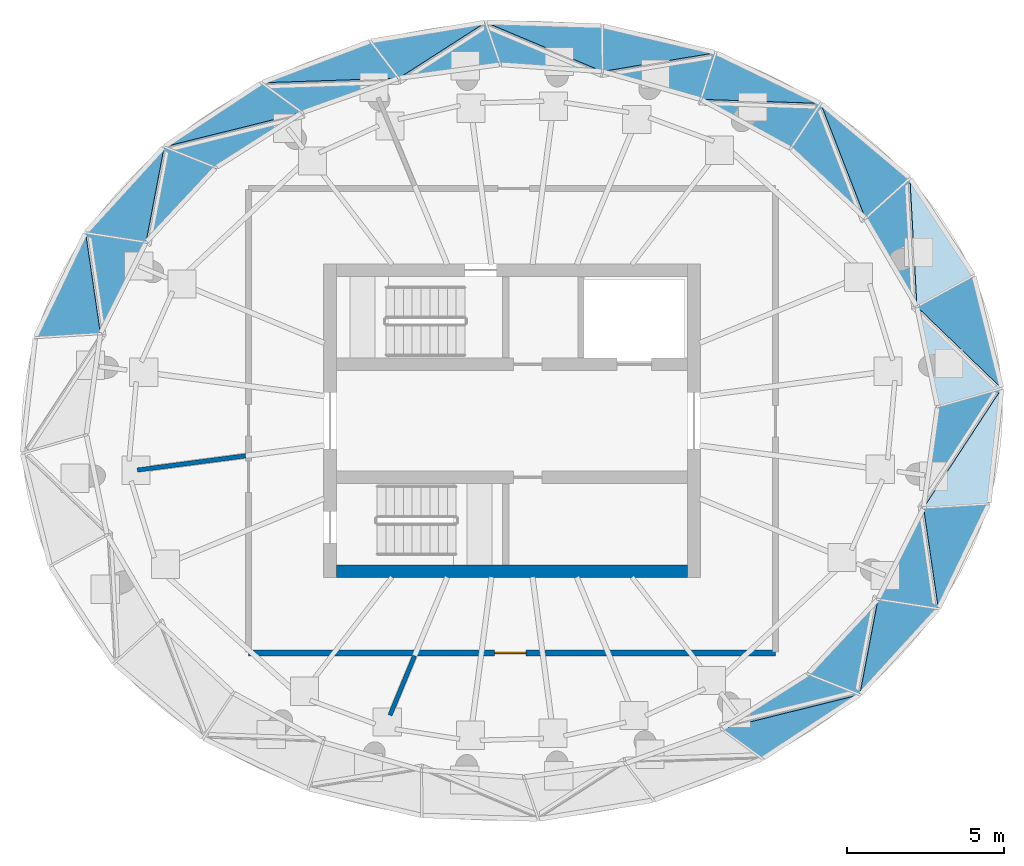
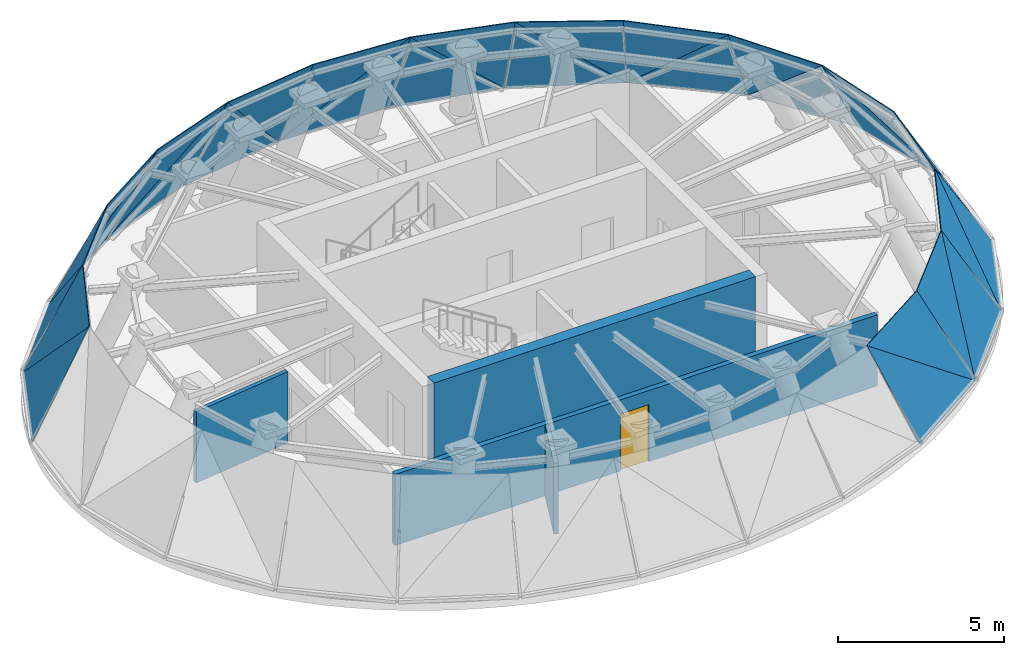
# One storey, part 6 of 8: 30 plates, 4 walls, 1 door, 1 opening, 30 elements without a shape of their own.
"""IFC4 building model written with IfcOpenShell, lengths in metres."""

from ifc_helpers import new_model, si_unit, direction, frame, frame_2d, origin, place, context, subcontext, project, spatial, line, indexed_curve, rectangle, outline, extrude, source, transform, mapped, material, layer, layer_set, type_object, element, fill, aggregate, save


model = new_model("IFC4")

# Units and contexts
model_context = context("Model", 3, precision=1e-05, world=origin(), true_north=direction((0.0, 1.0)))
body_context = subcontext(model_context, "Body", "Model", "MODEL_VIEW")
ifc_project = project(units=[si_unit("LENGTHUNIT", "METRE"), si_unit("AREAUNIT", "SQUARE_METRE"), si_unit("VOLUMEUNIT", "CUBIC_METRE"), si_unit("PLANEANGLEUNIT", "RADIAN"), si_unit("MASSUNIT", "GRAM", prefix="KILO")], contexts=[model_context])

# Site, building, storey
site_placement = place(None, origin())
site = spatial("IfcSite", under=ifc_project, at=site_placement, CompositionType="ELEMENT")
building_placement = place(site_placement, origin())
building = spatial("IfcBuilding", under=site, at=building_placement, Name="Spindrift Exchange Tower", CompositionType="ELEMENT")
storey_placement = place(building_placement, frame((0.0, 0.0, 280.10009765625)))
storey = spatial("IfcBuildingStorey", under=building, at=storey_placement, Name="L69", CompositionType="ELEMENT", Elevation=280.10009765625)

# Curtain wall, plate
ifc_material_1 = material(Name="Fritted laminated glass with bronze frame", Category="glass")
ifc_layer_1 = layer(ifc_material_1, 0.14990234375)
ifc_layer_set_1 = layer_set([ifc_layer_1], Name="CROWN BRONZE RAKED GLAZED WALL")
curtain_wall_type = type_object("IfcCurtainWallType", Name="CROWN BRONZE RAKED GLAZED WALL", PredefinedType="NOTDEFINED", material=ifc_layer_set_1)
curtain_wall_1_placement = place(storey_placement, origin())
curtain_wall_1 = element("IfcCurtainWall", 1, at=curtain_wall_1_placement, inside=storey, type_object=curtain_wall_type, Name="L69 Crown Bronze Raked Glazed Wall facet 5", PredefinedType="NOTDEFINED")
ifc_material_2 = material(Name="Bronze fritted laminated glass, close frit", Category="glass")
ifc_layer_2 = layer(ifc_material_2, 0.030029296875)
ifc_layer_set_2 = layer_set([ifc_layer_2], Name="CROWN BRONZE RAKED GLAZED WALL PANEL CLOSE FRIT 300")
plate_type_1 = type_object("IfcPlateType", Name="CROWN BRONZE RAKED GLAZED WALL PANEL CLOSE FRIT 300", PredefinedType="CURTAIN_PANEL", material=ifc_layer_set_2)
plate_1_placement = place(storey_placement, frame((61.839599609375, 58.115478515625, 0.01416015625), z_axis=(0.565176050454, 0.673090111223, 0.476996576683), x_axis=(0.765827927913, -0.643045554241, 0.0)))
plate_1 = element("IfcPlate", 2, at=plate_1_placement, type_object=plate_type_1, Name="L69 panel CW-R.3a", PredefinedType="CURTAIN_PANEL", context=body_context, shape_type="SweptSolid", body=[
    extrude(outline(indexed_curve([(0.0, 0.0), (3.7119140625, 0.0), (3.4482421875, -3.9658203125)], segments=[line(1, 2, 3, 1)], self_intersect=False)), origin(), (0.0, 0.0, -1.0), 0.030029296875),
])
aggregate(curtain_wall_1, [plate_1])

curtain_wall_2_placement = place(storey_placement, origin())
curtain_wall_2 = element("IfcCurtainWall", 3, at=curtain_wall_2_placement, inside=storey, type_object=curtain_wall_type, Name="L69 Crown Bronze Raked Glazed Wall facet 6", PredefinedType="NOTDEFINED")
plate_2_placement = place(storey_placement, frame((61.839599609375, 58.115478515625, 0.012939453125), z_axis=(0.614353124214, 0.655870744985, 0.438638580885), x_axis=(0.270968098054, -0.697485075158, 0.663393442664)))
plate_2 = element("IfcPlate", 4, at=plate_2_placement, type_object=plate_type_1, Name="L69 panel CW-R.3b", PredefinedType="CURTAIN_PANEL", context=body_context, shape_type="SweptSolid", body=[
    extrude(outline(indexed_curve([(0.0, 0.0), (5.2568359375, 0.0), (3.056640625, -2.4072265625)], segments=[line(1, 2, 3, 1)], self_intersect=False)), origin(), (0.0, 0.0, -1.0), 0.030029296875),
])
aggregate(curtain_wall_2, [plate_2])

curtain_wall_3_placement = place(storey_placement, origin())
curtain_wall_3 = element("IfcCurtainWall", 5, at=curtain_wall_3_placement, inside=storey, type_object=curtain_wall_type, Name="L69 Crown Bronze Raked Glazed Wall facet 19", PredefinedType="NOTDEFINED")
plate_3_placement = place(storey_placement, frame((40.913818359375, 56.731201171875, 0.012451171875), z_axis=(-0.669320461487, 0.611486785409, 0.422011885028), x_axis=(-0.67449076676, -0.738283282727, 0.0)))
plate_3 = element("IfcPlate", 6, at=plate_3_placement, type_object=plate_type_1, Name="L69 panel CW-R.10a", PredefinedType="CURTAIN_PANEL", context=body_context, shape_type="SweptSolid", body=[
    extrude(outline(indexed_curve([(0.0, 0.0), (3.7119140625, 0.0), (2.6357421875, 3.8466796875)], segments=[line(1, 2, 3, 1)], self_intersect=False)), origin(), (0.0, 0.0, -1.0), 0.030029296875),
])
aggregate(curtain_wall_3, [plate_3])

curtain_wall_4_placement = place(storey_placement, origin())
curtain_wall_4 = element("IfcCurtainWall", 7, at=curtain_wall_4_placement, inside=storey, type_object=curtain_wall_type, Name="L69 Crown Bronze Raked Glazed Wall facet 20", PredefinedType="NOTDEFINED")
plate_4_placement = place(storey_placement, frame((40.913818359375, 56.731201171875, 0.0126953125), z_axis=(-0.65999316732, 0.617098685713, 0.428483641674), x_axis=(-0.124192555848, -0.652115633677, 0.747877937491)))
plate_4 = element("IfcPlate", 8, at=plate_4_placement, type_object=plate_type_1, Name="L69 panel CW-R.10b", PredefinedType="CURTAIN_PANEL", context=body_context, shape_type="SweptSolid", body=[
    extrude(outline(indexed_curve([(0.0, 0.0), (4.6630859375, 0.0), (2.8330078125, 2.6982421875)], segments=[line(1, 2, 3, 1)], self_intersect=False)), origin(), (0.0, 0.0, -1.0), 0.030029296875),
])
aggregate(curtain_wall_4, [plate_4])

curtain_wall_5_placement = place(storey_placement, origin())
curtain_wall_5 = element("IfcCurtainWall", 9, at=curtain_wall_5_placement, inside=storey, type_object=curtain_wall_type, Name="L69 Crown Bronze Raked Glazed Wall facet 41", PredefinedType="NOTDEFINED")
plate_5_placement = place(storey_placement, frame((63.086181640625, 39.268798828125, 0.01171875), z_axis=(0.504425174524, -0.767257239145, 0.396070160813), x_axis=(-0.835591721106, -0.549350958513, 0.0)))
plate_5 = element("IfcPlate", 10, at=plate_5_placement, type_object=plate_type_1, Name="L69 panel CW-R.21a", PredefinedType="CURTAIN_PANEL", context=body_context, shape_type="SweptSolid", body=[
    extrude(outline(indexed_curve([(0.0, 0.0), (3.71484375, 0.0), (4.27734375, -3.798828125)], segments=[line(1, 2, 3, 1)], self_intersect=False)), origin(), (0.0, 0.0, -1.0), 0.030029296875),
])
aggregate(curtain_wall_5, [plate_5])

curtain_wall_6_placement = place(storey_placement, origin())
curtain_wall_6 = element("IfcCurtainWall", 11, at=curtain_wall_6_placement, inside=storey, type_object=curtain_wall_type, Name="L69 Crown Bronze Raked Glazed Wall facet 42", PredefinedType="NOTDEFINED")
plate_6_placement = place(storey_placement, frame((63.086181640625, 39.268798828125, 0.01123046875), z_axis=(0.496181237835, -0.779822059743, 0.381682766652), x_axis=(-0.769185785025, -0.190930825688, 0.609834934976)))
plate_6 = element("IfcPlate", 12, at=plate_6_placement, type_object=plate_type_1, Name="L69 panel CW-R.21b", PredefinedType="CURTAIN_PANEL", context=body_context, shape_type="SweptSolid", body=[
    extrude(outline(indexed_curve([(0.0, 0.0), (5.720703125, 0.0), (3.26953125, -2.15234375)], segments=[line(1, 2, 3, 1)], self_intersect=False)), origin(), (0.0, 0.0, -1.0), 0.030029296875),
])
aggregate(curtain_wall_6, [plate_6])

curtain_wall_7_placement = place(storey_placement, origin())
curtain_wall_7 = element("IfcCurtainWall", 13, at=curtain_wall_7_placement, inside=storey, type_object=curtain_wall_type, Name="L69 Crown Bronze Raked Glazed Wall facet 43", PredefinedType="NOTDEFINED")
plate_7_placement = place(storey_placement, frame((63.086181640625, 39.268798828125, 0.012451171875), z_axis=(0.669320461487, -0.611486785409, 0.422011885028), x_axis=(0.67449076676, 0.738283282727, 0.0)))
plate_7 = element("IfcPlate", 14, at=plate_7_placement, type_object=plate_type_1, Name="L69 panel CW-R.22a", PredefinedType="CURTAIN_PANEL", context=body_context, shape_type="SweptSolid", body=[
    extrude(outline(indexed_curve([(0.0, 0.0), (3.7119140625, 0.0), (2.6357421875, 3.8466796875)], segments=[line(1, 2, 3, 1)], self_intersect=False)), origin(), (0.0, 0.0, -1.0), 0.030029296875),
])
aggregate(curtain_wall_7, [plate_7])

curtain_wall_8_placement = place(storey_placement, origin())
curtain_wall_8 = element("IfcCurtainWall", 15, at=curtain_wall_8_placement, inside=storey, type_object=curtain_wall_type, Name="L69 Crown Bronze Raked Glazed Wall facet 44", PredefinedType="NOTDEFINED")
plate_8_placement = place(storey_placement, frame((63.086181640625, 39.268798828125, 0.0126953125), z_axis=(0.65999316732, -0.617098685713, 0.428483641674), x_axis=(0.124192555848, 0.652115633677, 0.747877937491)))
plate_8 = element("IfcPlate", 16, at=plate_8_placement, type_object=plate_type_1, Name="L69 panel CW-R.22b", PredefinedType="CURTAIN_PANEL", context=body_context, shape_type="SweptSolid", body=[
    extrude(outline(indexed_curve([(0.0, 0.0), (4.6630859375, 0.0), (2.8330078125, 2.6982421875)], segments=[line(1, 2, 3, 1)], self_intersect=False)), origin(), (0.0, 0.0, -1.0), 0.030029296875),
])
aggregate(curtain_wall_8, [plate_8])

curtain_wall_9_placement = place(storey_placement, origin())
curtain_wall_9 = element("IfcCurtainWall", 17, at=curtain_wall_9_placement, inside=storey, type_object=curtain_wall_type, Name="L69 Crown Bronze Raked Glazed Wall facet 1", PredefinedType="NOTDEFINED")
ifc_layer_3 = layer(ifc_material_2, 0.030029296875)
ifc_layer_set_3 = layer_set([ifc_layer_3], Name="CROWN BRONZE RAKED GLAZED WALL PANEL CLOSE FRIT 420")
plate_type_2 = type_object("IfcPlateType", Name="CROWN BRONZE RAKED GLAZED WALL PANEL CLOSE FRIT 420", PredefinedType="CURTAIN_PANEL", material=ifc_layer_set_3)
plate_9_placement = place(storey_placement, frame((67.609619140625, 49.032470703125, 0.014892578125), z_axis=(0.842288613629, 0.209671111115, 0.496576194068), x_axis=(-0.241558489936, 0.970386261207, 0.0)))
plate_9 = element("IfcPlate", 18, at=plate_9_placement, type_object=plate_type_2, Name="L69 panel CW-R.1a", PredefinedType="CURTAIN_PANEL", context=body_context, shape_type="SweptSolid", body=[
    extrude(outline(indexed_curve([(0.0, 0.0), (3.7041015625, 0.0), (3.1796875, 4.0146484375)], segments=[line(1, 2, 3, 1)], self_intersect=False)), origin(), (0.0, 0.0, -1.0), 0.030029296875),
])
aggregate(curtain_wall_9, [plate_9])

curtain_wall_10_placement = place(storey_placement, origin())
curtain_wall_10 = element("IfcCurtainWall", 19, at=curtain_wall_10_placement, inside=storey, type_object=curtain_wall_type, Name="L69 Crown Bronze Raked Glazed Wall facet 2", PredefinedType="NOTDEFINED")
plate_10_placement = place(storey_placement, frame((67.609619140625, 49.032470703125, 0.015380859375), z_axis=(0.836592289288, 0.172610831534, 0.519921957932), x_axis=(-0.527759754911, 0.508453215236, 0.680400594512)))
plate_10 = element("IfcPlate", 20, at=plate_10_placement, type_object=plate_type_2, Name="L69 panel CW-R.1b", PredefinedType="CURTAIN_PANEL", context=body_context, shape_type="SweptSolid", body=[
    extrude(outline(indexed_curve([(0.0, 0.0), (5.12109375, 0.0), (3.1533203125, 2.5927734375)], segments=[line(1, 2, 3, 1)], self_intersect=False)), origin(), (0.0, 0.0, -1.0), 0.030029296875),
])
aggregate(curtain_wall_10, [plate_10])

curtain_wall_11_placement = place(storey_placement, origin())
curtain_wall_11 = element("IfcCurtainWall", 21, at=curtain_wall_11_placement, inside=storey, type_object=curtain_wall_type, Name="L69 Crown Bronze Raked Glazed Wall facet 7", PredefinedType="NOTDEFINED")
plate_11_placement = place(storey_placement, frame((61.839599609375, 58.115478515625, 0.011962890625), z_axis=(0.397307338456, 0.823702069412, 0.404551331299), x_axis=(-0.900697972034, 0.434445811551, 0.0)))
plate_11 = element("IfcPlate", 22, at=plate_11_placement, type_object=plate_type_2, Name="L69 panel CW-R.4a", PredefinedType="CURTAIN_PANEL", context=body_context, shape_type="SweptSolid", body=[
    extrude(outline(indexed_curve([(0.0, 0.0), (3.71484375, 0.0), (3.494140625, 3.814453125)], segments=[line(1, 2, 3, 1)], self_intersect=False)), origin(), (0.0, 0.0, -1.0), 0.030029296875),
])
aggregate(curtain_wall_11, [plate_11])

curtain_wall_12_placement = place(storey_placement, origin())
curtain_wall_12 = element("IfcCurtainWall", 23, at=curtain_wall_12_placement, inside=storey, type_object=curtain_wall_type, Name="L69 Crown Bronze Raked Glazed Wall facet 8", PredefinedType="NOTDEFINED")
plate_12_placement = place(storey_placement, frame((61.839599609375, 58.115478515625, 0.01318359375), z_axis=(0.430382330959, 0.786875538827, 0.442264553852), x_axis=(-0.738167891383, 0.024829026146, 0.674159983677)))
plate_12 = element("IfcPlate", 24, at=plate_12_placement, type_object=plate_type_2, Name="L69 panel CW-R.4b", PredefinedType="CURTAIN_PANEL", context=body_context, shape_type="SweptSolid", body=[
    extrude(outline(indexed_curve([(0.0, 0.0), (5.171875, 0.0), (3.0205078125, 2.4521484375)], segments=[line(1, 2, 3, 1)], self_intersect=False)), origin(), (0.0, 0.0, -1.0), 0.030029296875),
])
aggregate(curtain_wall_12, [plate_12])

curtain_wall_13_placement = place(storey_placement, origin())
curtain_wall_13 = element("IfcCurtainWall", 25, at=curtain_wall_13_placement, inside=storey, type_object=curtain_wall_type, Name="L69 Crown Bronze Raked Glazed Wall facet 9", PredefinedType="NOTDEFINED")
plate_13_placement = place(storey_placement, frame((58.493408203125, 59.7294921875, 0.010986328125), z_axis=(0.212764825705, 0.90259066341, 0.374247542768), x_axis=(-0.973323189011, 0.229438378946, 0.0)))
plate_13 = element("IfcPlate", 26, at=plate_13_placement, type_object=plate_type_2, Name="L69 panel CW-R.5a", PredefinedType="CURTAIN_PANEL", context=body_context, shape_type="SweptSolid", body=[
    extrude(outline(indexed_curve([(0.0, 0.0), (3.716796875, 0.0), (3.37890625, 3.7626953125)], segments=[line(1, 2, 3, 1)], self_intersect=False)), origin(), (0.0, 0.0, -1.0), 0.030029296875),
])
aggregate(curtain_wall_13, [plate_13])

curtain_wall_14_placement = place(storey_placement, origin())
curtain_wall_14 = element("IfcCurtainWall", 27, at=curtain_wall_14_placement, inside=storey, type_object=curtain_wall_type, Name="L69 Crown Bronze Raked Glazed Wall facet 10", PredefinedType="NOTDEFINED")
plate_14_placement = place(storey_placement, frame((58.493408203125, 59.7294921875, 0.01220703125), z_axis=(0.249057583816, 0.878428215142, 0.407840889057), x_axis=(-0.714371225151, -0.117717948423, 0.689794344204)))
plate_14 = element("IfcPlate", 28, at=plate_14_placement, type_object=plate_type_2, Name="L69 panel CW-R.5b", PredefinedType="CURTAIN_PANEL", context=body_context, shape_type="SweptSolid", body=[
    extrude(outline(indexed_curve([(0.0, 0.0), (5.056640625, 0.0), (2.91796875, 2.4658203125)], segments=[line(1, 2, 3, 1)], self_intersect=False)), origin(), (0.0, 0.0, -1.0), 0.030029296875),
])
aggregate(curtain_wall_14, [plate_14])

curtain_wall_15_placement = place(storey_placement, origin())
curtain_wall_15 = element("IfcCurtainWall", 29, at=curtain_wall_15_placement, inside=storey, type_object=curtain_wall_type, Name="L69 Crown Bronze Raked Glazed Wall facet 11", PredefinedType="NOTDEFINED")
plate_15_placement = place(storey_placement, frame((51.16015625, 60.6982421875, 0.011474609375), z_axis=(0.028814951632, 0.923231050284, 0.383163315512), x_axis=(0.999513292725, -0.031195795653, 0.0)))
plate_15 = element("IfcPlate", 30, at=plate_15_placement, type_object=plate_type_2, Name="L69 panel CW-R.6a", PredefinedType="CURTAIN_PANEL", context=body_context, shape_type="SweptSolid", body=[
    extrude(outline(indexed_curve([(0.0, 0.0), (3.7177734375, 0.0), (3.7685546875, -3.7763671875)], segments=[line(1, 2, 3, 1)], self_intersect=False)), origin(), (0.0, 0.0, -1.0), 0.030029296875),
])
aggregate(curtain_wall_15, [plate_15])

curtain_wall_16_placement = place(storey_placement, origin())
curtain_wall_16 = element("IfcCurtainWall", 31, at=curtain_wall_16_placement, inside=storey, type_object=curtain_wall_type, Name="L69 Crown Bronze Raked Glazed Wall facet 12", PredefinedType="NOTDEFINED")
plate_16_placement = place(storey_placement, frame((51.16015625, 60.6982421875, 0.010498046875), z_axis=(0.06379986533, 0.934307358249, 0.350712613838), x_axis=(0.697411695467, -0.293112407897, 0.653989329701)))
plate_16 = element("IfcPlate", 32, at=plate_16_placement, type_object=plate_type_2, Name="L69 panel CW-R.6b", PredefinedType="CURTAIN_PANEL", context=body_context, shape_type="SweptSolid", body=[
    extrude(outline(indexed_curve([(0.0, 0.0), (5.3359375, 0.0), (2.9990234375, -2.2802734375)], segments=[line(1, 2, 3, 1)], self_intersect=False)), origin(), (0.0, 0.0, -1.0), 0.030029296875),
])
aggregate(curtain_wall_16, [plate_16])

curtain_wall_17_placement = place(storey_placement, origin())
curtain_wall_17 = element("IfcCurtainWall", 33, at=curtain_wall_17_placement, inside=storey, type_object=curtain_wall_type, Name="L69 Crown Bronze Raked Glazed Wall facet 17", PredefinedType="NOTDEFINED")
plate_17_placement = place(storey_placement, frame((40.913818359375, 56.731201171875, 0.01171875), z_axis=(-0.504425174524, 0.767257239145, 0.396070160813), x_axis=(0.835591721106, 0.549350958513, 0.0)))
plate_17 = element("IfcPlate", 34, at=plate_17_placement, type_object=plate_type_2, Name="L69 panel CW-R.9a", PredefinedType="CURTAIN_PANEL", context=body_context, shape_type="SweptSolid", body=[
    extrude(outline(indexed_curve([(0.0, 0.0), (3.71484375, 0.0), (4.27734375, -3.798828125)], segments=[line(1, 2, 3, 1)], self_intersect=False)), origin(), (0.0, 0.0, -1.0), 0.030029296875),
])
aggregate(curtain_wall_17, [plate_17])

curtain_wall_18_placement = place(storey_placement, origin())
curtain_wall_18 = element("IfcCurtainWall", 35, at=curtain_wall_18_placement, inside=storey, type_object=curtain_wall_type, Name="L69 Crown Bronze Raked Glazed Wall facet 18", PredefinedType="NOTDEFINED")
plate_18_placement = place(storey_placement, frame((40.913818359375, 56.731201171875, 0.01123046875), z_axis=(-0.496181237835, 0.779822059743, 0.381682766652), x_axis=(0.769185785025, 0.190930825688, 0.609834934976)))
plate_18 = element("IfcPlate", 36, at=plate_18_placement, type_object=plate_type_2, Name="L69 panel CW-R.9b", PredefinedType="CURTAIN_PANEL", context=body_context, shape_type="SweptSolid", body=[
    extrude(outline(indexed_curve([(0.0, 0.0), (5.720703125, 0.0), (3.26953125, -2.15234375)], segments=[line(1, 2, 3, 1)], self_intersect=False)), origin(), (0.0, 0.0, -1.0), 0.030029296875),
])
aggregate(curtain_wall_18, [plate_18])

curtain_wall_19_placement = place(storey_placement, origin())
curtain_wall_19 = element("IfcCurtainWall", 37, at=curtain_wall_19_placement, inside=storey, type_object=curtain_wall_type, Name="L69 Crown Bronze Raked Glazed Wall facet 45", PredefinedType="NOTDEFINED")
plate_19_placement = place(storey_placement, frame((65.590087890625, 42.009521484375, 0.013671875), z_axis=(0.79927352321, -0.384076355882, 0.462219848068), x_axis=(0.433120610216, 0.901335973434, 0.0)))
plate_19 = element("IfcPlate", 38, at=plate_19_placement, type_object=plate_type_2, Name="L69 panel CW-R.23a", PredefinedType="CURTAIN_PANEL", context=body_context, shape_type="SweptSolid", body=[
    extrude(outline(indexed_curve([(0.0, 0.0), (3.7080078125, 0.0), (2.693359375, 3.931640625)], segments=[line(1, 2, 3, 1)], self_intersect=False)), origin(), (0.0, 0.0, -1.0), 0.030029296875),
])
aggregate(curtain_wall_19, [plate_19])

curtain_wall_20_placement = place(storey_placement, origin())
curtain_wall_20 = element("IfcCurtainWall", 39, at=curtain_wall_20_placement, inside=storey, type_object=curtain_wall_type, Name="L69 Crown Bronze Raked Glazed Wall facet 46", PredefinedType="NOTDEFINED")
plate_20_placement = place(storey_placement, frame((65.590087890625, 42.009521484375, 0.013916015625), z_axis=(0.789889059271, -0.393886051834, 0.470030905595), x_axis=(-0.098872055338, 0.674635283285, 0.731499522365)))
plate_20 = element("IfcPlate", 40, at=plate_20_placement, type_object=plate_type_2, Name="L69 panel CW-R.23b", PredefinedType="CURTAIN_PANEL", context=body_context, shape_type="SweptSolid", body=[
    extrude(outline(indexed_curve([(0.0, 0.0), (4.765625, 0.0), (2.9423828125, 2.69921875)], segments=[line(1, 2, 3, 1)], self_intersect=False)), origin(), (0.0, 0.0, -1.0), 0.030029296875),
])
aggregate(curtain_wall_20, [plate_20])

curtain_wall_21_placement = place(storey_placement, origin())
curtain_wall_21 = element("IfcCurtainWall", 41, at=curtain_wall_21_placement, inside=storey, type_object=curtain_wall_type, Name="L69 Crown Bronze Raked Glazed Wall facet 47", PredefinedType="NOTDEFINED")
plate_21_placement = place(storey_placement, frame((67.609619140625, 49.032470703125, 0.01513671875), z_axis=(0.856537581413, -0.096237624389, 0.507032238895), x_axis=(-0.1116540198, -0.993747140807, 0.0)))
plate_21 = element("IfcPlate", 42, at=plate_21_placement, type_object=plate_type_2, Name="L69 panel CW-R.24a", PredefinedType="CURTAIN_PANEL", context=body_context, shape_type="SweptSolid", body=[
    extrude(outline(indexed_curve([(0.0, 0.0), (3.7041015625, 0.0), (4.0625, -4.04296875)], segments=[line(1, 2, 3, 1)], self_intersect=False)), origin(), (0.0, 0.0, -1.0), 0.030029296875),
])
aggregate(curtain_wall_21, [plate_21])

curtain_wall_22_placement = place(storey_placement, origin())
curtain_wall_22 = element("IfcCurtainWall", 43, at=curtain_wall_22_placement, inside=storey, type_object=curtain_wall_type, Name="L69 Crown Bronze Raked Glazed Wall facet 48", PredefinedType="NOTDEFINED")
plate_22_placement = place(storey_placement, frame((67.609619140625, 49.032470703125, 0.014404296875), z_axis=(0.864918771348, -0.119527241989, 0.487471801638), x_axis=(-0.434548861884, -0.664346069281, 0.608121358667)))
plate_22 = element("IfcPlate", 44, at=plate_22_placement, type_object=plate_type_2, Name="L69 panel CW-R.24b", PredefinedType="CURTAIN_PANEL", context=body_context, shape_type="SweptSolid", body=[
    extrude(outline(indexed_curve([(0.0, 0.0), (5.7314453125, 0.0), (3.396484375, -2.2666015625)], segments=[line(1, 2, 3, 1)], self_intersect=False)), origin(), (0.0, 0.0, -1.0), 0.030029296875),
])
aggregate(curtain_wall_22, [plate_22])

curtain_wall_23_placement = place(storey_placement, origin())
curtain_wall_23 = element("IfcCurtainWall", 45, at=curtain_wall_23_placement, inside=storey, type_object=curtain_wall_type, Name="L69 Crown Bronze Raked Glazed Wall facet 3", PredefinedType="NOTDEFINED")
ifc_layer_4 = layer(ifc_material_2, 0.030029296875)
ifc_layer_set_4 = layer_set([ifc_layer_4], Name="CROWN BRONZE RAKED GLAZED WALL PANEL CLOSE FRIT 540")
plate_type_3 = type_object("IfcPlateType", Name="CROWN BRONZE RAKED GLAZED WALL PANEL CLOSE FRIT 540", PredefinedType="CURTAIN_PANEL", material=ifc_layer_set_4)
plate_23_placement = place(storey_placement, frame((64.6826171875, 55.728271484375, 0.01513671875), z_axis=(0.720461384078, 0.472102697085, 0.507990587961), x_axis=(0.548088210831, -0.836420536063, 0.0)))
plate_23 = element("IfcPlate", 46, at=plate_23_placement, type_object=plate_type_3, Name="L69 panel CW-R.2a", PredefinedType="CURTAIN_PANEL", context=body_context, shape_type="SweptSolid", body=[
    extrude(outline(indexed_curve([(0.0, 0.0), (3.7080078125, 0.0), (3.544921875, -4.0458984375)], segments=[line(1, 2, 3, 1)], self_intersect=False)), origin(), (0.0, 0.0, -1.0), 0.030029296875),
])
aggregate(curtain_wall_23, [plate_23])

curtain_wall_24_placement = place(storey_placement, origin())
curtain_wall_24 = element("IfcCurtainWall", 47, at=curtain_wall_24_placement, inside=storey, type_object=curtain_wall_type, Name="L69 Crown Bronze Raked Glazed Wall facet 4", PredefinedType="NOTDEFINED")
plate_24_placement = place(storey_placement, frame((64.6826171875, 55.728271484375, 0.013916015625), z_axis=(0.760926311868, 0.444429576648, 0.472729837547), x_axis=(0.041657178729, -0.76053847004, 0.647955179815)))
plate_24 = element("IfcPlate", 48, at=plate_24_placement, type_object=plate_type_3, Name="L69 panel CW-R.2b", PredefinedType="CURTAIN_PANEL", context=body_context, shape_type="SweptSolid", body=[
    extrude(outline(indexed_curve([(0.0, 0.0), (5.3798828125, 0.0), (3.1728515625, -2.3955078125)], segments=[line(1, 2, 3, 1)], self_intersect=False)), origin(), (0.0, 0.0, -1.0), 0.030029296875),
])
aggregate(curtain_wall_24, [plate_24])

curtain_wall_25_placement = place(storey_placement, origin())
curtain_wall_25 = element("IfcCurtainWall", 49, at=curtain_wall_25_placement, inside=storey, type_object=curtain_wall_type, Name="L69 Crown Bronze Raked Glazed Wall facet 13", PredefinedType="NOTDEFINED")
plate_25_placement = place(storey_placement, frame((51.16015625, 60.6982421875, 0.010498046875), z_axis=(-0.152314233821, 0.924220132844, 0.350167845785), x_axis=(-0.986690497935, -0.162609536268, 0.0)))
plate_25 = element("IfcPlate", 50, at=plate_25_placement, type_object=plate_type_3, Name="L69 panel CW-R.7a", PredefinedType="CURTAIN_PANEL", context=body_context, shape_type="SweptSolid", body=[
    extrude(outline(indexed_curve([(0.0, 0.0), (3.7177734375, 0.0), (3.0234375, 3.7255859375)], segments=[line(1, 2, 3, 1)], self_intersect=False)), origin(), (0.0, 0.0, -1.0), 0.030029296875),
])
aggregate(curtain_wall_25, [plate_25])

curtain_wall_26_placement = place(storey_placement, origin())
curtain_wall_26 = element("IfcCurtainWall", 51, at=curtain_wall_26_placement, inside=storey, type_object=curtain_wall_type, Name="L69 Crown Bronze Raked Glazed Wall facet 14", PredefinedType="NOTDEFINED")
plate_26_placement = place(storey_placement, frame((51.16015625, 60.6982421875, 0.010986328125), z_axis=(-0.124401420094, 0.920473265822, 0.370477062158), x_axis=(-0.577628233344, -0.370769034283, 0.727238576576)))
plate_26 = element("IfcPlate", 52, at=plate_26_placement, type_object=plate_type_3, Name="L69 panel CW-R.7b", PredefinedType="CURTAIN_PANEL", context=body_context, shape_type="SweptSolid", body=[
    extrude(outline(indexed_curve([(0.0, 0.0), (4.7978515625, 0.0), (2.7666015625, 2.556640625)], segments=[line(1, 2, 3, 1)], self_intersect=False)), origin(), (0.0, 0.0, -1.0), 0.030029296875),
])
aggregate(curtain_wall_26, [plate_26])

curtain_wall_27_placement = place(storey_placement, origin())
curtain_wall_27 = element("IfcCurtainWall", 53, at=curtain_wall_27_placement, inside=storey, type_object=curtain_wall_type, Name="L69 Crown Bronze Raked Glazed Wall facet 15", PredefinedType="NOTDEFINED")
plate_27_placement = place(storey_placement, frame((44.018310546875, 58.772216796875, 0.01123046875), z_axis=(-0.329444742314, 0.866002076185, 0.376173584672), x_axis=(0.934653085919, 0.355560977868, 0.0)))
plate_27 = element("IfcPlate", 54, at=plate_27_placement, type_object=plate_type_3, Name="L69 panel CW-R.8a", PredefinedType="CURTAIN_PANEL", context=body_context, shape_type="SweptSolid", body=[
    extrude(outline(indexed_curve([(0.0, 0.0), (3.716796875, 0.0), (4.1376953125, -3.765625)], segments=[line(1, 2, 3, 1)], self_intersect=False)), origin(), (0.0, 0.0, -1.0), 0.030029296875),
])
aggregate(curtain_wall_27, [plate_27])

curtain_wall_28_placement = place(storey_placement, origin())
curtain_wall_28 = element("IfcCurtainWall", 55, at=curtain_wall_28_placement, inside=storey, type_object=curtain_wall_type, Name="L69 Crown Bronze Raked Glazed Wall facet 16", PredefinedType="NOTDEFINED")
plate_28_placement = place(storey_placement, frame((44.018310546875, 58.772216796875, 0.010498046875), z_axis=(-0.313770480598, 0.880290807006, 0.355859776607), x_axis=(0.781206853653, 0.026313693037, 0.623717437117)))
plate_28 = element("IfcPlate", 56, at=plate_28_placement, type_object=plate_type_3, Name="L69 panel CW-R.8b", PredefinedType="CURTAIN_PANEL", context=body_context, shape_type="SweptSolid", body=[
    extrude(outline(indexed_curve([(0.0, 0.0), (5.5947265625, 0.0), (3.1640625, -2.1787109375)], segments=[line(1, 2, 3, 1)], self_intersect=False)), origin(), (0.0, 0.0, -1.0), 0.030029296875),
])
aggregate(curtain_wall_28, [plate_28])

curtain_wall_29_placement = place(storey_placement, origin())
curtain_wall_29 = element("IfcCurtainWall", 57, at=curtain_wall_29_placement, inside=storey, type_object=curtain_wall_type, Name="L69 Crown Bronze Raked Glazed Wall facet 21", PredefinedType="NOTDEFINED")
plate_29_placement = place(storey_placement, frame((38.409912109375, 53.990478515625, 0.013671875), z_axis=(-0.79927352321, 0.384076355882, 0.462219848068), x_axis=(-0.433120610216, -0.901335973434, 0.0)))
plate_29 = element("IfcPlate", 58, at=plate_29_placement, type_object=plate_type_3, Name="L69 panel CW-R.11a", PredefinedType="CURTAIN_PANEL", context=body_context, shape_type="SweptSolid", body=[
    extrude(outline(indexed_curve([(0.0, 0.0), (3.7080078125, 0.0), (2.693359375, 3.931640625)], segments=[line(1, 2, 3, 1)], self_intersect=False)), origin(), (0.0, 0.0, -1.0), 0.030029296875),
])
aggregate(curtain_wall_29, [plate_29])

curtain_wall_30_placement = place(storey_placement, origin())
curtain_wall_30 = element("IfcCurtainWall", 59, at=curtain_wall_30_placement, inside=storey, type_object=curtain_wall_type, Name="L69 Crown Bronze Raked Glazed Wall facet 22", PredefinedType="NOTDEFINED")
plate_30_placement = place(storey_placement, frame((38.409912109375, 53.990478515625, 0.013916015625), z_axis=(-0.789889059271, 0.393886051834, 0.470030905595), x_axis=(0.098872055338, -0.674635283285, 0.731499522365)))
plate_30 = element("IfcPlate", 60, at=plate_30_placement, type_object=plate_type_3, Name="L69 panel CW-R.11b", PredefinedType="CURTAIN_PANEL", context=body_context, shape_type="SweptSolid", body=[
    extrude(outline(indexed_curve([(0.0, 0.0), (4.765625, 0.0), (2.9423828125, 2.69921875)], segments=[line(1, 2, 3, 1)], self_intersect=False)), origin(), (0.0, 0.0, -1.0), 0.030029296875),
])
aggregate(curtain_wall_30, [plate_30])

# Walls
ifc_material_3 = material(Name="Concrete 40 MPa", Category="concrete")
ifc_layer_5 = layer(ifc_material_3, 0.39990234375)
ifc_layer_set_5 = layer_set([ifc_layer_5], Name="RC Core Wall 400 Concrete 40 MPa")
wall_type_1 = type_object("IfcWallType", Name="RC Core Wall 400 Concrete 40 MPa", PredefinedType="SHEAR", material=ifc_layer_set_5)
wall_1_placement = place(storey_placement, frame((46.39990234375, 43.199951171875, 0.0), z_axis=(0.0, 0.0, 1.0), x_axis=(1.0, 0.0, 0.0)))
element("IfcWall", 61, at=wall_1_placement, inside=storey, type_object=wall_type_1, Name="Core wall S L69", PredefinedType="SHEAR", context=body_context, shape_type="SweptSolid", body=[
    extrude(rectangle(XDim=11.2001953125, YDim=0.39990234375, at=frame_2d((5.60009765625, 0.0))), origin(), (0.0, 0.0, 1.0), 3.5),
])
ifc_material_4 = material(Name="Fire-rated plasterboard partition", Category="gypsum")
ifc_layer_6 = layer(ifc_material_4, 0.139892578125)
ifc_layer_set_6 = layer_set([ifc_layer_6], Name="W-PLANT-140")
wall_type_2 = type_object("IfcWallType", Name="W-PLANT-140", PredefinedType="PARTITIONING", material=ifc_layer_set_6)
wall_2_placement = place(storey_placement, frame((43.510009765625, 46.88232421875, 0.0), z_axis=(0.0, 0.0, 1.0), x_axis=(-0.991442831521, -0.130541609556, 0.0)))
element("IfcWall", 62, at=wall_2_placement, inside=storey, type_object=wall_type_2, Name="L69 Partition wall 8", PredefinedType="PARTITIONING", context=body_context, shape_type="SweptSolid", body=[
    extrude(rectangle(XDim=3.48046875, YDim=0.139892578125, at=frame_2d((1.740234375, 0.0))), origin(), (0.0, 0.0, 1.0), 2.619873046875),
])
wall_3_placement = place(storey_placement, frame((48.8974609375, 40.510009765625, 0.0), z_axis=(0.0, 0.0, 1.0), x_axis=(-0.382691072611, -0.923876367781, 0.0)))
element("IfcWall", 63, at=wall_3_placement, inside=storey, type_object=wall_type_2, Name="L69 Partition wall 9", PredefinedType="PARTITIONING", context=body_context, shape_type="SweptSolid", body=[
    extrude(rectangle(XDim=2.054931640625, YDim=0.139892578125, at=frame_2d((1.02734375, 0.0))), origin(), (0.0, 0.0, 1.0), 2.619873046875),
])

# Wall, opening, door
ifc_layer_7 = layer(ifc_material_4, 0.179931640625)
ifc_layer_set_7 = layer_set([ifc_layer_7], Name="W-PLANT-180")
wall_type_3 = type_object("IfcWallType", Name="W-PLANT-180", PredefinedType="PARTITIONING", material=ifc_layer_set_7)
wall_4_placement = place(storey_placement, frame((60.39990234375, 40.60009765625, 0.0), z_axis=(0.0, 0.0, 1.0), x_axis=(-1.0, 0.0, 0.0)))
wall_4 = element("IfcWall", 64, at=wall_4_placement, inside=storey, type_object=wall_type_3, Name="L69 Partition wall 5", PredefinedType="PARTITIONING", context=body_context, shape_type="SweptSolid", body=[
    extrude(rectangle(XDim=16.7998046875, YDim=0.179931640625, at=frame_2d((8.39990234375, 0.0))), origin(), (0.0, 0.0, 1.0), 2.619873046875),
])
opening_placement = place(wall_4_placement, frame((7.949951171875, 0.0, 0.0)))
opening = element("IfcOpeningElement", 65, at=opening_placement, cuts=wall_4, Name="Opening L69-D6", PredefinedType="OPENING", context=body_context, shape_type="SweptSolid", body=[
    extrude(rectangle(XDim=1.0, YDim=2.10009765625, at=frame_2d((0.5, 1.050048828125))), frame((0.0, 0.099853515625, 0.0), z_axis=(0.0, -1.0, 0.0), x_axis=(1.0, 0.0, 0.0)), (0.0, 0.0, 1.0), 0.199951171875),
])
ifc_material_5 = material(Name="Timber-core fire door", Category="wood")
door_type = type_object("IfcDoorType", Name="DR-ROOM-1000", OperationType="NOTDEFINED", PredefinedType="DOOR", material=ifc_material_5)
shared_shape = source(origin(), body_context, "Body", "SweptSolid", [
    extrude(rectangle(XDim=1.0, YDim=2.10009765625, at=frame_2d((0.5, 1.050048828125))), frame((0.0, 0.02490234375, 0.0), z_axis=(0.0, -1.0, 0.0), x_axis=(1.0, 0.0, 0.0)), (0.0, 0.0, 1.0), 0.050048828125),
])
door_placement = place(opening_placement, origin())
door = element("IfcDoor", 66, at=door_placement, inside=storey, type_object=door_type, Name="L69 Door 6", OperationType="SINGLE_SWING_LEFT", OverallHeight=2.10009765625, OverallWidth=1.0, PredefinedType="DOOR", context=body_context, shape_type="MappedRepresentation", body=[
    mapped(shared_shape, transform((0.0, 0.0, 0.0), scale=1.0)),
])
fill(opening, door)

save(model, "model.ifc")
